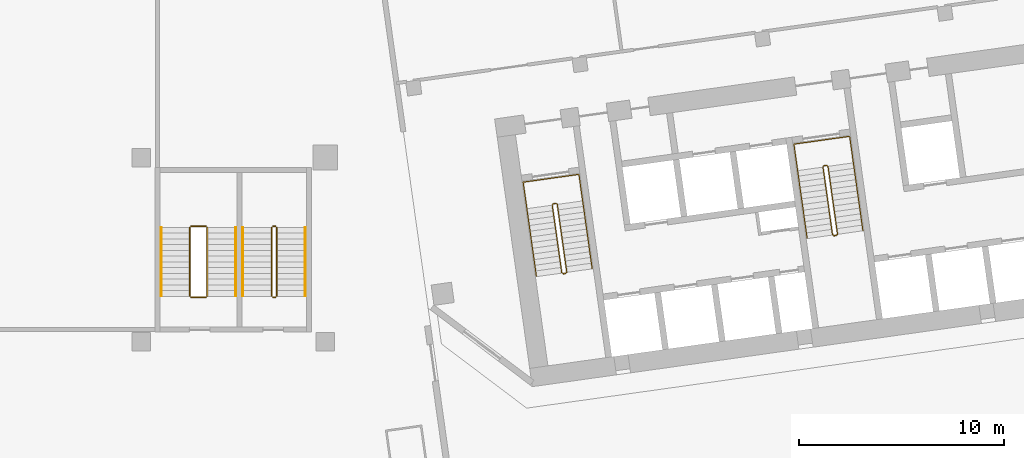
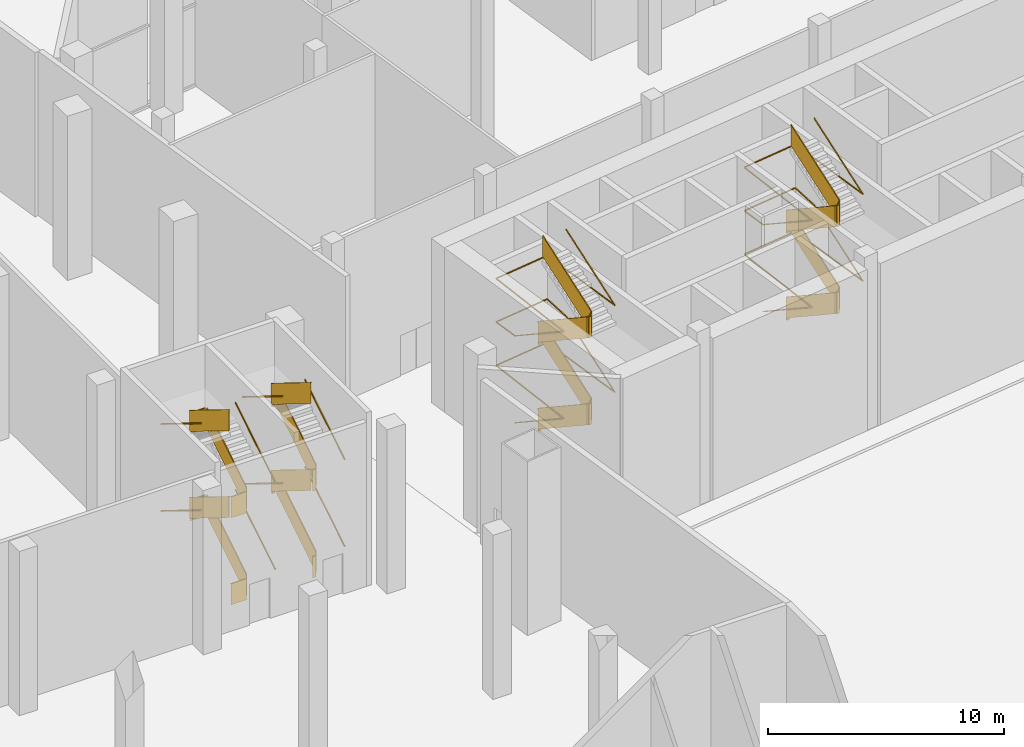
# One storey, part 33 of 34: 28 railings.
"""IFC4 building model written with IfcOpenShell, lengths in metres."""

from ifc_helpers import new_model, si_unit, direction, frame, origin, origin_2d, place, context, subcontext, project, spatial, rectangle, extrude, material, type_object, element, save


model = new_model("IFC4")

# Units and contexts
model_context = context("Model", 3, precision=1e-05, world=origin(), true_north=direction((0.0, 1.0)))
body_context = subcontext(model_context, "Body", "Model", "MODEL_VIEW")
ifc_project = project(units=[si_unit("LENGTHUNIT", "METRE"), si_unit("AREAUNIT", "SQUARE_METRE"), si_unit("VOLUMEUNIT", "CUBIC_METRE"), si_unit("PLANEANGLEUNIT", "RADIAN"), si_unit("MASSUNIT", "GRAM", prefix="KILO")], contexts=[model_context])

# Site, building, storey
site_placement = place(None, origin())
site = spatial("IfcSite", under=ifc_project, at=site_placement, CompositionType="ELEMENT")
building_placement = place(site_placement, origin())
building = spatial("IfcBuilding", under=site, at=building_placement, Name="Mirante Cascada Hotel Towers", CompositionType="ELEMENT")
storey_placement = place(building_placement, origin())
storey = spatial("IfcBuildingStorey", under=building, at=storey_placement, Name="L00", CompositionType="ELEMENT", Elevation=0.0)

# Railings
ifc_material_1 = material(Name="Painted steel", Category="steel")
railing_type_1 = type_object("IfcRailingType", Name="Podium stair guard 1100 steel balustrade", PredefinedType="GUARDRAIL", material=ifc_material_1)
railing_1_placement = place(storey_placement, frame((24.625, -15.775, 0.1731)))
element("IfcRailing", 1, at=railing_1_placement, inside=storey, type_object=railing_type_1, Name="L00 PS2 stair guard 1", PredefinedType="GUARDRAIL", context=body_context, shape_type="SweptSolid", body=[
    extrude(rectangle(XDim=0.048, YDim=0.048, at=origin_2d()), frame((0.0, 0.0, 1.076), z_axis=(0.0, 1.0, 0.0), x_axis=(-1.0, 0.0, 0.0)), (0.0, 0.5257871, 0.8506162), 3.9501),
    extrude(rectangle(XDim=0.02, YDim=1.052, at=origin_2d()), frame((0.0, 0.0, 0.526), z_axis=(0.0, 1.0, 0.0), x_axis=(-1.0, 0.0, 0.0)), (0.0, 0.5257871, 0.8506162), 3.9501),
])
railing_2_placement = place(storey_placement, frame((24.575, -12.365, 2.25)))
element("IfcRailing", 2, at=railing_2_placement, inside=storey, type_object=railing_type_1, Name="L00 PS2 stair guard 2", PredefinedType="GUARDRAIL", context=body_context, shape_type="SweptSolid", body=[
    extrude(rectangle(XDim=0.048, YDim=0.048, at=origin_2d()), frame((0.0, 0.0, 1.076), z_axis=(-1.0, 0.0, 0.0), x_axis=(0.0, -1.0, 0.0)), (0.0, 0.0, 1.0), 0.15),
    extrude(rectangle(XDim=0.02, YDim=1.052, at=origin_2d()), frame((0.0, 0.0, 0.526), z_axis=(-1.0, 0.0, 0.0), x_axis=(0.0, -1.0, 0.0)), (0.0, 0.0, 1.0), 0.15),
])
railing_3_placement = place(storey_placement, frame((24.375, -12.415, 2.4231)))
element("IfcRailing", 3, at=railing_3_placement, inside=storey, type_object=railing_type_1, Name="L00 PS2 stair guard 3", PredefinedType="GUARDRAIL", context=body_context, shape_type="SweptSolid", body=[
    extrude(rectangle(XDim=0.048, YDim=0.048, at=origin_2d()), frame((0.0, 0.0, 1.076), z_axis=(0.0, -1.0, 0.0), x_axis=(1.0, 0.0, 0.0)), (0.0, 0.5257871, 0.8506162), 3.9501),
    extrude(rectangle(XDim=0.02, YDim=1.052, at=origin_2d()), frame((0.0, 0.0, 0.526), z_axis=(0.0, -1.0, 0.0), x_axis=(1.0, 0.0, 0.0)), (0.0, 0.5257871, 0.8506162), 3.9501),
])
railing_4_placement = place(storey_placement, frame((24.575, -15.825, 4.5)))
element("IfcRailing", 4, at=railing_4_placement, inside=storey, type_object=railing_type_1, Name="L00 PS2 stair guard 4", PredefinedType="GUARDRAIL", context=body_context, shape_type="SweptSolid", body=[
    extrude(rectangle(XDim=0.048, YDim=0.048, at=origin_2d()), frame((0.0, 0.0, 1.076), z_axis=(-1.0, 0.0, 0.0), x_axis=(0.0, -1.0, 0.0)), (0.0, 0.0, 1.0), 0.15),
    extrude(rectangle(XDim=0.02, YDim=1.052, at=origin_2d()), frame((0.0, 0.0, 0.526), z_axis=(-1.0, 0.0, 0.0), x_axis=(0.0, -1.0, 0.0)), (0.0, 0.0, 1.0), 0.15),
])
railing_5_placement = place(storey_placement, frame((24.625, -15.775, 4.6731)))
element("IfcRailing", 5, at=railing_5_placement, inside=storey, type_object=railing_type_1, Name="L00 PS2 stair guard 5", PredefinedType="GUARDRAIL", context=body_context, shape_type="SweptSolid", body=[
    extrude(rectangle(XDim=0.048, YDim=0.048, at=origin_2d()), frame((0.0, 0.0, 1.076), z_axis=(0.0, 1.0, 0.0), x_axis=(-1.0, 0.0, 0.0)), (0.0, 0.5257871, 0.8506162), 3.9501),
    extrude(rectangle(XDim=0.02, YDim=1.052, at=origin_2d()), frame((0.0, 0.0, 0.526), z_axis=(0.0, 1.0, 0.0), x_axis=(-1.0, 0.0, 0.0)), (0.0, 0.5257871, 0.8506162), 3.9501),
])
railing_6_placement = place(storey_placement, frame((24.575, -12.365, 6.75)))
element("IfcRailing", 6, at=railing_6_placement, inside=storey, type_object=railing_type_1, Name="L00 PS2 stair guard 6", PredefinedType="GUARDRAIL", context=body_context, shape_type="SweptSolid", body=[
    extrude(rectangle(XDim=0.048, YDim=0.048, at=origin_2d()), frame((0.0, 0.0, 1.076), z_axis=(-1.0, 0.0, 0.0), x_axis=(0.0, -1.0, 0.0)), (0.0, 0.0, 1.0), 0.15),
    extrude(rectangle(XDim=0.02, YDim=1.052, at=origin_2d()), frame((0.0, 0.0, 0.526), z_axis=(-1.0, 0.0, 0.0), x_axis=(0.0, -1.0, 0.0)), (0.0, 0.0, 1.0), 0.15),
])
railing_7_placement = place(storey_placement, frame((24.375, -12.415, 6.9231)))
element("IfcRailing", 7, at=railing_7_placement, inside=storey, type_object=railing_type_1, Name="L00 PS2 stair guard 7", PredefinedType="GUARDRAIL", context=body_context, shape_type="SweptSolid", body=[
    extrude(rectangle(XDim=0.048, YDim=0.048, at=origin_2d()), frame((0.0, 0.0, 1.076), z_axis=(0.0, -1.0, 0.0), x_axis=(1.0, 0.0, 0.0)), (0.0, 0.5257871, 0.8506162), 3.9501),
    extrude(rectangle(XDim=0.02, YDim=1.052, at=origin_2d()), frame((0.0, 0.0, 0.526), z_axis=(0.0, -1.0, 0.0), x_axis=(1.0, 0.0, 0.0)), (0.0, 0.5257871, 0.8506162), 3.9501),
])
railing_8_placement = place(storey_placement, frame((24.575, -15.825, 0.0)))
element("IfcRailing", 8, at=railing_8_placement, inside=storey, type_object=railing_type_1, Name="L00 PS2 stair guard 8", PredefinedType="GUARDRAIL", context=body_context, shape_type="SweptSolid", body=[
    extrude(rectangle(XDim=0.048, YDim=0.048, at=origin_2d()), frame((0.0, 0.0, 1.076), z_axis=(-1.0, 0.0, 0.0), x_axis=(0.0, -1.0, 0.0)), (0.0, 0.0, 1.0), 0.15),
    extrude(rectangle(XDim=0.02, YDim=1.052, at=origin_2d()), frame((0.0, 0.0, 0.526), z_axis=(-1.0, 0.0, 0.0), x_axis=(0.0, -1.0, 0.0)), (0.0, 0.0, 1.0), 0.15),
])
railing_9_placement = place(storey_placement, frame((21.225, -15.775, 0.1731)))
element("IfcRailing", 9, at=railing_9_placement, inside=storey, type_object=railing_type_1, Name="L00 PS4 stair guard 1", PredefinedType="GUARDRAIL", context=body_context, shape_type="SweptSolid", body=[
    extrude(rectangle(XDim=0.048, YDim=0.048, at=origin_2d()), frame((0.0, 0.0, 1.076), z_axis=(0.0, 1.0, 0.0), x_axis=(-1.0, 0.0, 0.0)), (0.0, 0.5257871, 0.8506162), 3.9501),
    extrude(rectangle(XDim=0.02, YDim=1.052, at=origin_2d()), frame((0.0, 0.0, 0.526), z_axis=(0.0, 1.0, 0.0), x_axis=(-1.0, 0.0, 0.0)), (0.0, 0.5257871, 0.8506162), 3.9501),
])
railing_10_placement = place(storey_placement, frame((21.175, -12.365, 2.25)))
element("IfcRailing", 10, at=railing_10_placement, inside=storey, type_object=railing_type_1, Name="L00 PS4 stair guard 2", PredefinedType="GUARDRAIL", context=body_context, shape_type="SweptSolid", body=[
    extrude(rectangle(XDim=0.048, YDim=0.048, at=origin_2d()), frame((0.0, 0.0, 1.076), z_axis=(-1.0, 0.0, 0.0), x_axis=(0.0, -1.0, 0.0)), (0.0, 0.0, 1.0), 0.75),
    extrude(rectangle(XDim=0.02, YDim=1.052, at=origin_2d()), frame((0.0, 0.0, 0.526), z_axis=(-1.0, 0.0, 0.0), x_axis=(0.0, -1.0, 0.0)), (0.0, 0.0, 1.0), 0.75),
])
railing_11_placement = place(storey_placement, frame((20.375, -12.415, 2.4231)))
element("IfcRailing", 11, at=railing_11_placement, inside=storey, type_object=railing_type_1, Name="L00 PS4 stair guard 3", PredefinedType="GUARDRAIL", context=body_context, shape_type="SweptSolid", body=[
    extrude(rectangle(XDim=0.048, YDim=0.048, at=origin_2d()), frame((0.0, 0.0, 1.076), z_axis=(0.0, -1.0, 0.0), x_axis=(1.0, 0.0, 0.0)), (0.0, 0.5257871, 0.8506162), 3.9501),
    extrude(rectangle(XDim=0.02, YDim=1.052, at=origin_2d()), frame((0.0, 0.0, 0.526), z_axis=(0.0, -1.0, 0.0), x_axis=(1.0, 0.0, 0.0)), (0.0, 0.5257871, 0.8506162), 3.9501),
])
railing_12_placement = place(storey_placement, frame((21.175, -15.825, 4.5)))
element("IfcRailing", 12, at=railing_12_placement, inside=storey, type_object=railing_type_1, Name="L00 PS4 stair guard 4", PredefinedType="GUARDRAIL", context=body_context, shape_type="SweptSolid", body=[
    extrude(rectangle(XDim=0.048, YDim=0.048, at=origin_2d()), frame((0.0, 0.0, 1.076), z_axis=(-1.0, 0.0, 0.0), x_axis=(0.0, -1.0, 0.0)), (0.0, 0.0, 1.0), 0.75),
    extrude(rectangle(XDim=0.02, YDim=1.052, at=origin_2d()), frame((0.0, 0.0, 0.526), z_axis=(-1.0, 0.0, 0.0), x_axis=(0.0, -1.0, 0.0)), (0.0, 0.0, 1.0), 0.75),
])
railing_13_placement = place(storey_placement, frame((21.225, -15.775, 4.6731)))
element("IfcRailing", 13, at=railing_13_placement, inside=storey, type_object=railing_type_1, Name="L00 PS4 stair guard 5", PredefinedType="GUARDRAIL", context=body_context, shape_type="SweptSolid", body=[
    extrude(rectangle(XDim=0.048, YDim=0.048, at=origin_2d()), frame((0.0, 0.0, 1.076), z_axis=(0.0, 1.0, 0.0), x_axis=(-1.0, 0.0, 0.0)), (0.0, 0.5257871, 0.8506162), 3.9501),
    extrude(rectangle(XDim=0.02, YDim=1.052, at=origin_2d()), frame((0.0, 0.0, 0.526), z_axis=(0.0, 1.0, 0.0), x_axis=(-1.0, 0.0, 0.0)), (0.0, 0.5257871, 0.8506162), 3.9501),
])
railing_14_placement = place(storey_placement, frame((21.175, -12.365, 6.75)))
element("IfcRailing", 14, at=railing_14_placement, inside=storey, type_object=railing_type_1, Name="L00 PS4 stair guard 6", PredefinedType="GUARDRAIL", context=body_context, shape_type="SweptSolid", body=[
    extrude(rectangle(XDim=0.048, YDim=0.048, at=origin_2d()), frame((0.0, 0.0, 1.076), z_axis=(-1.0, 0.0, 0.0), x_axis=(0.0, -1.0, 0.0)), (0.0, 0.0, 1.0), 0.75),
    extrude(rectangle(XDim=0.02, YDim=1.052, at=origin_2d()), frame((0.0, 0.0, 0.526), z_axis=(-1.0, 0.0, 0.0), x_axis=(0.0, -1.0, 0.0)), (0.0, 0.0, 1.0), 0.75),
])
railing_15_placement = place(storey_placement, frame((20.375, -12.415, 6.9231)))
element("IfcRailing", 15, at=railing_15_placement, inside=storey, type_object=railing_type_1, Name="L00 PS4 stair guard 7", PredefinedType="GUARDRAIL", context=body_context, shape_type="SweptSolid", body=[
    extrude(rectangle(XDim=0.048, YDim=0.048, at=origin_2d()), frame((0.0, 0.0, 1.076), z_axis=(0.0, -1.0, 0.0), x_axis=(1.0, 0.0, 0.0)), (0.0, 0.5257871, 0.8506162), 3.9501),
    extrude(rectangle(XDim=0.02, YDim=1.052, at=origin_2d()), frame((0.0, 0.0, 0.526), z_axis=(0.0, -1.0, 0.0), x_axis=(1.0, 0.0, 0.0)), (0.0, 0.5257871, 0.8506162), 3.9501),
])
railing_16_placement = place(storey_placement, frame((21.175, -15.825, 0.0)))
element("IfcRailing", 16, at=railing_16_placement, inside=storey, type_object=railing_type_1, Name="L00 PS4 stair guard 8", PredefinedType="GUARDRAIL", context=body_context, shape_type="SweptSolid", body=[
    extrude(rectangle(XDim=0.048, YDim=0.048, at=origin_2d()), frame((0.0, 0.0, 1.076), z_axis=(-1.0, 0.0, 0.0), x_axis=(0.0, -1.0, 0.0)), (0.0, 0.0, 1.0), 0.75),
    extrude(rectangle(XDim=0.02, YDim=1.052, at=origin_2d()), frame((0.0, 0.0, 0.526), z_axis=(-1.0, 0.0, 0.0), x_axis=(0.0, -1.0, 0.0)), (0.0, 0.0, 1.0), 0.75),
])
ifc_material_2 = material(Name="Painted steel", Category="steel")
railing_type_2 = type_object("IfcRailingType", Name="Podium stair handrail 900 steel tube", PredefinedType="HANDRAIL", material=ifc_material_2)
railing_17_placement = place(storey_placement, frame((26.025, -15.775, 0.1731)))
element("IfcRailing", 17, at=railing_17_placement, inside=storey, type_object=railing_type_2, Name="L00 PS2 stair handrail 1", PredefinedType="HANDRAIL", context=body_context, shape_type="SweptSolid", body=[
    extrude(rectangle(XDim=0.048, YDim=0.048, at=origin_2d()), frame((0.0, 0.0, 0.876), z_axis=(0.0, 1.0, 0.0), x_axis=(-1.0, 0.0, 0.0)), (0.0, 0.5257871, 0.8506162), 3.9501),
])
railing_18_placement = place(storey_placement, frame((22.975, -12.415, 2.4231)))
element("IfcRailing", 18, at=railing_18_placement, inside=storey, type_object=railing_type_2, Name="L00 PS2 stair handrail 2", PredefinedType="HANDRAIL", context=body_context, shape_type="SweptSolid", body=[
    extrude(rectangle(XDim=0.048, YDim=0.048, at=origin_2d()), frame((0.0, 0.0, 0.876), z_axis=(0.0, -1.0, 0.0), x_axis=(1.0, 0.0, 0.0)), (0.0, 0.5257871, 0.8506162), 3.9501),
])
railing_19_placement = place(storey_placement, frame((26.025, -15.775, 4.6731)))
element("IfcRailing", 19, at=railing_19_placement, inside=storey, type_object=railing_type_2, Name="L00 PS2 stair handrail 3", PredefinedType="HANDRAIL", context=body_context, shape_type="SweptSolid", body=[
    extrude(rectangle(XDim=0.048, YDim=0.048, at=origin_2d()), frame((0.0, 0.0, 0.876), z_axis=(0.0, 1.0, 0.0), x_axis=(-1.0, 0.0, 0.0)), (0.0, 0.5257871, 0.8506162), 3.9501),
])
railing_20_placement = place(storey_placement, frame((22.975, -12.415, 6.9231)))
element("IfcRailing", 20, at=railing_20_placement, inside=storey, type_object=railing_type_2, Name="L00 PS2 stair handrail 4", PredefinedType="HANDRAIL", context=body_context, shape_type="SweptSolid", body=[
    extrude(rectangle(XDim=0.048, YDim=0.048, at=origin_2d()), frame((0.0, 0.0, 0.876), z_axis=(0.0, -1.0, 0.0), x_axis=(1.0, 0.0, 0.0)), (0.0, 0.5257871, 0.8506162), 3.9501),
])
railing_21_placement = place(storey_placement, frame((22.625, -15.775, 0.1731)))
element("IfcRailing", 21, at=railing_21_placement, inside=storey, type_object=railing_type_2, Name="L00 PS4 stair handrail 1", PredefinedType="HANDRAIL", context=body_context, shape_type="SweptSolid", body=[
    extrude(rectangle(XDim=0.048, YDim=0.048, at=origin_2d()), frame((0.0, 0.0, 0.876), z_axis=(0.0, 1.0, 0.0), x_axis=(-1.0, 0.0, 0.0)), (0.0, 0.5257871, 0.8506162), 3.9501),
])
railing_22_placement = place(storey_placement, frame((18.975, -12.415, 2.4231)))
element("IfcRailing", 22, at=railing_22_placement, inside=storey, type_object=railing_type_2, Name="L00 PS4 stair handrail 2", PredefinedType="HANDRAIL", context=body_context, shape_type="SweptSolid", body=[
    extrude(rectangle(XDim=0.048, YDim=0.048, at=origin_2d()), frame((0.0, 0.0, 0.876), z_axis=(0.0, -1.0, 0.0), x_axis=(1.0, 0.0, 0.0)), (0.0, 0.5257871, 0.8506162), 3.9501),
])
railing_23_placement = place(storey_placement, frame((22.625, -15.775, 4.6731)))
element("IfcRailing", 23, at=railing_23_placement, inside=storey, type_object=railing_type_2, Name="L00 PS4 stair handrail 3", PredefinedType="HANDRAIL", context=body_context, shape_type="SweptSolid", body=[
    extrude(rectangle(XDim=0.048, YDim=0.048, at=origin_2d()), frame((0.0, 0.0, 0.876), z_axis=(0.0, 1.0, 0.0), x_axis=(-1.0, 0.0, 0.0)), (0.0, 0.5257871, 0.8506162), 3.9501),
])
railing_24_placement = place(storey_placement, frame((18.975, -12.415, 6.9231)))
element("IfcRailing", 24, at=railing_24_placement, inside=storey, type_object=railing_type_2, Name="L00 PS4 stair handrail 4", PredefinedType="HANDRAIL", context=body_context, shape_type="SweptSolid", body=[
    extrude(rectangle(XDim=0.048, YDim=0.048, at=origin_2d()), frame((0.0, 0.0, 0.876), z_axis=(0.0, -1.0, 0.0), x_axis=(1.0, 0.0, 0.0)), (0.0, 0.5257871, 0.8506162), 3.9501),
])
ifc_material_3 = material(Name="Painted steel", Category="steel")
railing_type_3 = type_object("IfcRailingType", Name="Stair guard 1100 steel balustrade", PredefinedType="GUARDRAIL", material=ifc_material_3)
railing_25_placement = place(storey_placement, frame((38.2663, -11.2395, 0.0)))
element("IfcRailing", 25, at=railing_25_placement, inside=storey, type_object=railing_type_3, Name="L00 ST2-A stair guard 1", PredefinedType="GUARDRAIL", context=body_context, shape_type="SweptSolid", body=[
    extrude(rectangle(XDim=0.048, YDim=0.048, at=origin_2d()), frame((0.0, 0.0, 1.076), z_axis=(-0.9903326, -0.1387133, 0.0), x_axis=(0.1387133, -0.9903326, 0.0)), (0.0, 0.0, 1.0), 0.1499),
    extrude(rectangle(XDim=0.02, YDim=1.052, at=origin_2d()), frame((0.0, 0.0, 0.526), z_axis=(-0.9903326, -0.1387133, 0.0), x_axis=(0.1387133, -0.9903326, 0.0)), (0.0, 0.0, 1.0), 0.1499),
    extrude(rectangle(XDim=0.048, YDim=0.048, at=origin_2d()), frame((-0.1485, -0.0208, 1.076), z_axis=(-0.6020331, -0.7984711, 0.0), x_axis=(0.7984711, -0.6020331, 0.0)), (0.0, 0.925647, 0.3783882), 0.187),
    extrude(rectangle(XDim=0.02, YDim=1.052, at=origin_2d()), frame((-0.1485, -0.0208, 0.526), z_axis=(-0.6020331, -0.7984711, 0.0), x_axis=(0.7984711, -0.6020331, 0.0)), (0.0, 0.925647, 0.3783882), 0.187),
    extrude(rectangle(XDim=0.048, YDim=0.048, at=origin_2d()), frame((-0.1911, -0.0773, 1.2491), z_axis=(0.139196, -0.9902648, 0.0), x_axis=(0.9902648, 0.139196, 0.0)), (0.0, 0.525786, 0.8506169), 3.9501),
    extrude(rectangle(XDim=0.02, YDim=1.052, at=origin_2d()), frame((-0.1911, -0.0773, 0.6991), z_axis=(0.139196, -0.9902648, 0.0), x_axis=(0.9902648, 0.139196, 0.0)), (0.0, 0.525786, 0.8506169), 3.9501),
    extrude(rectangle(XDim=0.048, YDim=0.048, at=origin_2d()), frame((0.2766, -3.4046, 3.326), z_axis=(0.9944441, -0.1052656, 0.0), x_axis=(0.1052656, 0.9944441, 0.0)), (0.0, 0.0, 1.0), 0.2061),
    extrude(rectangle(XDim=0.02, YDim=1.052, at=origin_2d()), frame((0.2766, -3.4046, 2.776), z_axis=(0.9944441, -0.1052656, 0.0), x_axis=(0.1052656, 0.9944441, 0.0)), (0.0, 0.0, 1.0), 0.2061),
    extrude(rectangle(XDim=0.048, YDim=0.048, at=origin_2d()), frame((0.4816, -3.4263, 3.326), z_axis=(-0.9902537, -0.1392753, 0.0), x_axis=(0.1392753, -0.9902537, 0.0)), (0.0, 0.0, 1.0), 0.1501),
    extrude(rectangle(XDim=0.02, YDim=1.052, at=origin_2d()), frame((0.4816, -3.4263, 2.776), z_axis=(-0.9902537, -0.1392753, 0.0), x_axis=(0.1392753, -0.9902537, 0.0)), (0.0, 0.0, 1.0), 0.1501),
    extrude(rectangle(XDim=0.048, YDim=0.048, at=origin_2d()), frame((0.333, -3.4472, 3.326), z_axis=(0.9268624, 0.3754011, 0.0), x_axis=(-0.3754011, 0.9268624, 0.0)), (0.0, 0.6429944, 0.7658709), 0.2692),
    extrude(rectangle(XDim=0.02, YDim=1.052, at=origin_2d()), frame((0.333, -3.4472, 2.776), z_axis=(0.9268624, 0.3754011, 0.0), x_axis=(-0.3754011, 0.9268624, 0.0)), (0.0, 0.6429944, 0.7658709), 0.2692),
    extrude(rectangle(XDim=0.048, YDim=0.048, at=origin_2d()), frame((0.5241, -3.3698, 3.4991), z_axis=(-0.1391668, 0.990269, 0.0), x_axis=(-0.990269, -0.1391668, 0.0)), (0.0, 0.5257875, 0.8506159), 3.9501),
    extrude(rectangle(XDim=0.02, YDim=1.052, at=origin_2d()), frame((0.5241, -3.3698, 2.9491), z_axis=(-0.1391668, 0.990269, 0.0), x_axis=(-0.990269, -0.1391668, 0.0)), (0.0, 0.5257875, 0.8506159), 3.9501),
    extrude(rectangle(XDim=0.048, YDim=0.048, at=origin_2d()), frame((0.0565, -0.0425, 5.576), z_axis=(-0.7991505, 0.6011309, 0.0), x_axis=(-0.6011309, -0.7991505, 0.0)), (0.0, 0.0, 1.0), 0.0707),
    extrude(rectangle(XDim=0.02, YDim=1.052, at=origin_2d()), frame((0.0565, -0.0425, 5.026), z_axis=(-0.7991505, 0.6011309, 0.0), x_axis=(-0.6011309, -0.7991505, 0.0)), (0.0, 0.0, 1.0), 0.0707),
    extrude(rectangle(XDim=0.048, YDim=0.048, at=origin_2d()), frame((0.0, 0.0, 5.576), z_axis=(-0.9903326, -0.1387133, 0.0), x_axis=(0.1387133, -0.9903326, 0.0)), (0.0, 0.0, 1.0), 0.1499),
    extrude(rectangle(XDim=0.02, YDim=1.052, at=origin_2d()), frame((0.0, 0.0, 5.026), z_axis=(-0.9903326, -0.1387133, 0.0), x_axis=(0.1387133, -0.9903326, 0.0)), (0.0, 0.0, 1.0), 0.1499),
    extrude(rectangle(XDim=0.048, YDim=0.048, at=origin_2d()), frame((-0.1485, -0.0208, 5.576), z_axis=(-0.6020331, -0.7984711, 0.0), x_axis=(0.7984711, -0.6020331, 0.0)), (0.0, 0.925647, 0.3783882), 0.187),
    extrude(rectangle(XDim=0.02, YDim=1.052, at=origin_2d()), frame((-0.1485, -0.0208, 5.026), z_axis=(-0.6020331, -0.7984711, 0.0), x_axis=(0.7984711, -0.6020331, 0.0)), (0.0, 0.925647, 0.3783882), 0.187),
    extrude(rectangle(XDim=0.048, YDim=0.048, at=origin_2d()), frame((-0.1911, -0.0773, 5.7491), z_axis=(0.139196, -0.9902648, 0.0), x_axis=(0.9902648, 0.139196, 0.0)), (0.0, 0.525786, 0.8506169), 3.9501),
    extrude(rectangle(XDim=0.02, YDim=1.052, at=origin_2d()), frame((-0.1911, -0.0773, 5.1991), z_axis=(0.139196, -0.9902648, 0.0), x_axis=(0.9902648, 0.139196, 0.0)), (0.0, 0.525786, 0.8506169), 3.9501),
    extrude(rectangle(XDim=0.048, YDim=0.048, at=origin_2d()), frame((0.2766, -3.4046, 7.826), z_axis=(0.9944441, -0.1052656, 0.0), x_axis=(0.1052656, 0.9944441, 0.0)), (0.0, 0.0, 1.0), 0.2061),
    extrude(rectangle(XDim=0.02, YDim=1.052, at=origin_2d()), frame((0.2766, -3.4046, 7.276), z_axis=(0.9944441, -0.1052656, 0.0), x_axis=(0.1052656, 0.9944441, 0.0)), (0.0, 0.0, 1.0), 0.2061),
    extrude(rectangle(XDim=0.048, YDim=0.048, at=origin_2d()), frame((0.4816, -3.4263, 7.826), z_axis=(-0.9902537, -0.1392753, 0.0), x_axis=(0.1392753, -0.9902537, 0.0)), (0.0, 0.0, 1.0), 0.1501),
    extrude(rectangle(XDim=0.02, YDim=1.052, at=origin_2d()), frame((0.4816, -3.4263, 7.276), z_axis=(-0.9902537, -0.1392753, 0.0), x_axis=(0.1392753, -0.9902537, 0.0)), (0.0, 0.0, 1.0), 0.1501),
    extrude(rectangle(XDim=0.048, YDim=0.048, at=origin_2d()), frame((0.333, -3.4472, 7.826), z_axis=(0.9268624, 0.3754011, 0.0), x_axis=(-0.3754011, 0.9268624, 0.0)), (0.0, 0.6429944, 0.7658709), 0.2692),
    extrude(rectangle(XDim=0.02, YDim=1.052, at=origin_2d()), frame((0.333, -3.4472, 7.276), z_axis=(0.9268624, 0.3754011, 0.0), x_axis=(-0.3754011, 0.9268624, 0.0)), (0.0, 0.6429944, 0.7658709), 0.2692),
    extrude(rectangle(XDim=0.048, YDim=0.048, at=origin_2d()), frame((0.5241, -3.3698, 7.9991), z_axis=(-0.1391668, 0.990269, 0.0), x_axis=(-0.990269, -0.1391668, 0.0)), (0.0, 0.5257875, 0.8506159), 3.9501),
    extrude(rectangle(XDim=0.02, YDim=1.052, at=origin_2d()), frame((0.5241, -3.3698, 7.4491), z_axis=(-0.1391668, 0.990269, 0.0), x_axis=(-0.990269, -0.1391668, 0.0)), (0.0, 0.5257875, 0.8506159), 3.9501),
])
railing_26_placement = place(storey_placement, frame((51.4864, -9.3815, 0.0)))
element("IfcRailing", 26, at=railing_26_placement, inside=storey, type_object=railing_type_3, Name="L00 ST2-B stair guard 1", PredefinedType="GUARDRAIL", context=body_context, shape_type="SweptSolid", body=[
    extrude(rectangle(XDim=0.048, YDim=0.048, at=origin_2d()), frame((0.0, 0.0, 1.076), z_axis=(-0.9902408, -0.1393672, 0.0), x_axis=(0.1393672, -0.9902408, 0.0)), (0.0, 0.0, 1.0), 0.15),
    extrude(rectangle(XDim=0.02, YDim=1.052, at=origin_2d()), frame((0.0, 0.0, 0.526), z_axis=(-0.9902408, -0.1393672, 0.0), x_axis=(0.1393672, -0.9902408, 0.0)), (0.0, 0.0, 1.0), 0.15),
    extrude(rectangle(XDim=0.048, YDim=0.048, at=origin_2d()), frame((-0.1485, -0.0209, 1.076), z_axis=(-0.6020331, -0.7984711, 0.0), x_axis=(0.7984711, -0.6020331, 0.0)), (0.0, 0.925647, 0.3783882), 0.187),
    extrude(rectangle(XDim=0.02, YDim=1.052, at=origin_2d()), frame((-0.1485, -0.0209, 0.526), z_axis=(-0.6020331, -0.7984711, 0.0), x_axis=(0.7984711, -0.6020331, 0.0)), (0.0, 0.925647, 0.3783882), 0.187),
    extrude(rectangle(XDim=0.048, YDim=0.048, at=origin_2d()), frame((-0.1911, -0.0774, 1.2491), z_axis=(0.1391668, -0.990269, 0.0), x_axis=(0.990269, 0.1391668, 0.0)), (0.0, 0.5257875, 0.8506159), 3.9501),
    extrude(rectangle(XDim=0.02, YDim=1.052, at=origin_2d()), frame((-0.1911, -0.0774, 0.6991), z_axis=(0.1391668, -0.990269, 0.0), x_axis=(0.990269, 0.1391668, 0.0)), (0.0, 0.5257875, 0.8506159), 3.9501),
    extrude(rectangle(XDim=0.048, YDim=0.048, at=origin_2d()), frame((0.2765, -3.4047, 3.326), z_axis=(0.9945001, -0.1047353, 0.0), x_axis=(0.1047353, 0.9945001, 0.0)), (0.0, 0.0, 1.0), 0.2062),
    extrude(rectangle(XDim=0.02, YDim=1.052, at=origin_2d()), frame((0.2765, -3.4047, 2.776), z_axis=(0.9945001, -0.1047353, 0.0), x_axis=(0.1047353, 0.9945001, 0.0)), (0.0, 0.0, 1.0), 0.2062),
    extrude(rectangle(XDim=0.048, YDim=0.048, at=origin_2d()), frame((0.4816, -3.4263, 3.326), z_axis=(-0.9902537, -0.1392753, 0.0), x_axis=(0.1392753, -0.9902537, 0.0)), (0.0, 0.0, 1.0), 0.1501),
    extrude(rectangle(XDim=0.02, YDim=1.052, at=origin_2d()), frame((0.4816, -3.4263, 2.776), z_axis=(-0.9902537, -0.1392753, 0.0), x_axis=(0.1392753, -0.9902537, 0.0)), (0.0, 0.0, 1.0), 0.1501),
    extrude(rectangle(XDim=0.048, YDim=0.048, at=origin_2d()), frame((0.333, -3.4472, 3.326), z_axis=(0.9270311, 0.3749843, 0.0), x_axis=(-0.3749843, 0.9270311, 0.0)), (0.0, 0.6430631, 0.7658132), 0.2692),
    extrude(rectangle(XDim=0.02, YDim=1.052, at=origin_2d()), frame((0.333, -3.4472, 2.776), z_axis=(0.9270311, 0.3749843, 0.0), x_axis=(-0.3749843, 0.9270311, 0.0)), (0.0, 0.6430631, 0.7658132), 0.2692),
    extrude(rectangle(XDim=0.048, YDim=0.048, at=origin_2d()), frame((0.5241, -3.3699, 3.4991), z_axis=(-0.1391668, 0.990269, 0.0), x_axis=(-0.990269, -0.1391668, 0.0)), (0.0, 0.5257875, 0.8506159), 3.9501),
    extrude(rectangle(XDim=0.02, YDim=1.052, at=origin_2d()), frame((0.5241, -3.3699, 2.9491), z_axis=(-0.1391668, 0.990269, 0.0), x_axis=(-0.990269, -0.1391668, 0.0)), (0.0, 0.5257875, 0.8506159), 3.9501),
    extrude(rectangle(XDim=0.048, YDim=0.048, at=origin_2d()), frame((0.0565, -0.0426, 5.576), z_axis=(-0.7984711, 0.6020331, 0.0), x_axis=(-0.6020331, -0.7984711, 0.0)), (0.0, 0.0, 1.0), 0.0708),
    extrude(rectangle(XDim=0.02, YDim=1.052, at=origin_2d()), frame((0.0565, -0.0426, 5.026), z_axis=(-0.7984711, 0.6020331, 0.0), x_axis=(-0.6020331, -0.7984711, 0.0)), (0.0, 0.0, 1.0), 0.0708),
    extrude(rectangle(XDim=0.048, YDim=0.048, at=origin_2d()), frame((0.0, 0.0, 5.576), z_axis=(-0.9902408, -0.1393672, 0.0), x_axis=(0.1393672, -0.9902408, 0.0)), (0.0, 0.0, 1.0), 0.15),
    extrude(rectangle(XDim=0.02, YDim=1.052, at=origin_2d()), frame((0.0, 0.0, 5.026), z_axis=(-0.9902408, -0.1393672, 0.0), x_axis=(0.1393672, -0.9902408, 0.0)), (0.0, 0.0, 1.0), 0.15),
    extrude(rectangle(XDim=0.048, YDim=0.048, at=origin_2d()), frame((-0.1485, -0.0209, 5.576), z_axis=(-0.6020331, -0.7984711, 0.0), x_axis=(0.7984711, -0.6020331, 0.0)), (0.0, 0.925647, 0.3783882), 0.187),
    extrude(rectangle(XDim=0.02, YDim=1.052, at=origin_2d()), frame((-0.1485, -0.0209, 5.026), z_axis=(-0.6020331, -0.7984711, 0.0), x_axis=(0.7984711, -0.6020331, 0.0)), (0.0, 0.925647, 0.3783882), 0.187),
    extrude(rectangle(XDim=0.048, YDim=0.048, at=origin_2d()), frame((-0.1911, -0.0774, 5.7491), z_axis=(0.1391668, -0.990269, 0.0), x_axis=(0.990269, 0.1391668, 0.0)), (0.0, 0.5257875, 0.8506159), 3.9501),
    extrude(rectangle(XDim=0.02, YDim=1.052, at=origin_2d()), frame((-0.1911, -0.0774, 5.1991), z_axis=(0.1391668, -0.990269, 0.0), x_axis=(0.990269, 0.1391668, 0.0)), (0.0, 0.5257875, 0.8506159), 3.9501),
    extrude(rectangle(XDim=0.048, YDim=0.048, at=origin_2d()), frame((0.2765, -3.4047, 7.826), z_axis=(0.9945001, -0.1047353, 0.0), x_axis=(0.1047353, 0.9945001, 0.0)), (0.0, 0.0, 1.0), 0.2062),
    extrude(rectangle(XDim=0.02, YDim=1.052, at=origin_2d()), frame((0.2765, -3.4047, 7.276), z_axis=(0.9945001, -0.1047353, 0.0), x_axis=(0.1047353, 0.9945001, 0.0)), (0.0, 0.0, 1.0), 0.2062),
    extrude(rectangle(XDim=0.048, YDim=0.048, at=origin_2d()), frame((0.4816, -3.4263, 7.826), z_axis=(-0.9902537, -0.1392753, 0.0), x_axis=(0.1392753, -0.9902537, 0.0)), (0.0, 0.0, 1.0), 0.1501),
    extrude(rectangle(XDim=0.02, YDim=1.052, at=origin_2d()), frame((0.4816, -3.4263, 7.276), z_axis=(-0.9902537, -0.1392753, 0.0), x_axis=(0.1392753, -0.9902537, 0.0)), (0.0, 0.0, 1.0), 0.1501),
    extrude(rectangle(XDim=0.048, YDim=0.048, at=origin_2d()), frame((0.333, -3.4472, 7.826), z_axis=(0.9270311, 0.3749843, 0.0), x_axis=(-0.3749843, 0.9270311, 0.0)), (0.0, 0.6430631, 0.7658132), 0.2692),
    extrude(rectangle(XDim=0.02, YDim=1.052, at=origin_2d()), frame((0.333, -3.4472, 7.276), z_axis=(0.9270311, 0.3749843, 0.0), x_axis=(-0.3749843, 0.9270311, 0.0)), (0.0, 0.6430631, 0.7658132), 0.2692),
    extrude(rectangle(XDim=0.048, YDim=0.048, at=origin_2d()), frame((0.5241, -3.3699, 7.9991), z_axis=(-0.1391668, 0.990269, 0.0), x_axis=(-0.990269, -0.1391668, 0.0)), (0.0, 0.5257875, 0.8506159), 3.9501),
    extrude(rectangle(XDim=0.02, YDim=1.052, at=origin_2d()), frame((0.5241, -3.3699, 7.4491), z_axis=(-0.1391668, 0.990269, 0.0), x_axis=(-0.990269, -0.1391668, 0.0)), (0.0, 0.5257875, 0.8506159), 3.9501),
])
ifc_material_4 = material(Name="Painted steel", Category="steel")
railing_type_4 = type_object("IfcRailingType", Name="Stair handrail 900 steel tube", PredefinedType="HANDRAIL", material=ifc_material_4)
railing_27_placement = place(storey_placement, frame((36.8374, -11.4908, 0.1731)))
element("IfcRailing", 27, at=railing_27_placement, inside=storey, type_object=railing_type_4, Name="L00 ST2-A stair handrail 1", PredefinedType="HANDRAIL", context=body_context, shape_type="SweptSolid", body=[
    extrude(rectangle(XDim=0.048, YDim=0.048, at=origin_2d()), frame((0.0, 0.0, 0.876), z_axis=(0.1391668, -0.990269, 0.0), x_axis=(0.990269, 0.1391668, 0.0)), (0.0, 0.5257875, 0.8506159), 3.9501),
    extrude(rectangle(XDim=0.048, YDim=0.048, at=origin_2d()), frame((0.4676, -3.3273, 2.9529), z_axis=(-0.1391618, 0.9902697, 0.0), x_axis=(-0.9902697, -0.1391618, 0.0)), (0.0, 0.03712, 0.9993108), 4.6633),
    extrude(rectangle(XDim=0.048, YDim=0.048, at=origin_2d()), frame((-0.1809, 1.2874, 3.126), z_axis=(0.9902691, 0.1391657, 0.0), x_axis=(-0.1391657, 0.9902691, 0.0)), (0.0, 0.0, 1.0), 2.75),
    extrude(rectangle(XDim=0.048, YDim=0.048, at=origin_2d()), frame((2.5423, 1.6701, 3.126), z_axis=(0.1391828, -0.9902667, 0.0), x_axis=(0.9902667, 0.1391828, 0.0)), (0.0, 0.0, 1.0), 4.6601),
    extrude(rectangle(XDim=0.048, YDim=0.048, at=origin_2d()), frame((3.1909, -2.9446, 3.126), z_axis=(-0.139196, 0.9902648, 0.0), x_axis=(-0.9902648, -0.139196, 0.0)), (0.0, 0.525786, 0.8506169), 3.9501),
    extrude(rectangle(XDim=0.048, YDim=0.048, at=origin_2d()), frame((2.7233, 0.3817, 5.2028), z_axis=(-0.1391488, 0.9902715, 0.0), x_axis=(-0.9902715, -0.1391488, 0.0)), (0.0, 0.1319842, 0.9912518), 1.3125),
    extrude(rectangle(XDim=0.048, YDim=0.048, at=origin_2d()), frame((2.5423, 1.6701, 5.376), z_axis=(-0.9902691, -0.1391657, 0.0), x_axis=(0.1391657, -0.9902691, 0.0)), (0.0, 0.0, 1.0), 2.75),
    extrude(rectangle(XDim=0.048, YDim=0.048, at=origin_2d()), frame((-0.1809, 1.2874, 5.376), z_axis=(0.1391488, -0.9902715, 0.0), x_axis=(0.9902715, 0.1391488, 0.0)), (0.0, 0.0, 1.0), 1.3),
    extrude(rectangle(XDim=0.048, YDim=0.048, at=origin_2d()), frame((-0.0001, 0.0008, 5.3755), z_axis=(0.1391668, -0.990269, 0.0), x_axis=(0.990269, 0.1391668, 0.0)), (0.0, 0.5257875, 0.8506159), 3.9511),
    extrude(rectangle(XDim=0.048, YDim=0.048, at=origin_2d()), frame((0.4676, -3.3273, 7.4529), z_axis=(-0.1391618, 0.9902697, 0.0), x_axis=(-0.9902697, -0.1391618, 0.0)), (0.0, 0.03712, 0.9993108), 4.6633),
    extrude(rectangle(XDim=0.048, YDim=0.048, at=origin_2d()), frame((-0.1809, 1.2874, 7.626), z_axis=(0.9902691, 0.1391657, 0.0), x_axis=(-0.1391657, 0.9902691, 0.0)), (0.0, 0.0, 1.0), 2.75),
    extrude(rectangle(XDim=0.048, YDim=0.048, at=origin_2d()), frame((2.5423, 1.6701, 7.626), z_axis=(0.1391828, -0.9902667, 0.0), x_axis=(0.9902667, 0.1391828, 0.0)), (0.0, 0.0, 1.0), 4.6601),
    extrude(rectangle(XDim=0.048, YDim=0.048, at=origin_2d()), frame((3.1909, -2.9446, 7.626), z_axis=(-0.139196, 0.9902648, 0.0), x_axis=(-0.9902648, -0.139196, 0.0)), (0.0, 0.525786, 0.8506169), 3.9501),
])
railing_28_placement = place(storey_placement, frame((50.0575, -9.6328, 0.1731)))
element("IfcRailing", 28, at=railing_28_placement, inside=storey, type_object=railing_type_4, Name="L00 ST2-B stair handrail 1", PredefinedType="HANDRAIL", context=body_context, shape_type="SweptSolid", body=[
    extrude(rectangle(XDim=0.048, YDim=0.048, at=origin_2d()), frame((0.0, 0.0, 0.876), z_axis=(0.1391668, -0.990269, 0.0), x_axis=(0.990269, 0.1391668, 0.0)), (0.0, 0.5257875, 0.8506159), 3.9501),
    extrude(rectangle(XDim=0.048, YDim=0.048, at=origin_2d()), frame((0.4676, -3.3273, 2.9529), z_axis=(-0.1391647, 0.9902692, 0.0), x_axis=(-0.9902692, -0.1391647, 0.0)), (0.0, 0.0371208, 0.9993108), 4.6632),
    extrude(rectangle(XDim=0.048, YDim=0.048, at=origin_2d()), frame((-0.1809, 1.2873, 3.126), z_axis=(0.9902641, 0.1392013, 0.0), x_axis=(-0.1392013, 0.9902641, 0.0)), (0.0, 0.0, 1.0), 2.75),
    extrude(rectangle(XDim=0.048, YDim=0.048, at=origin_2d()), frame((2.5423, 1.6701, 3.126), z_axis=(0.1391618, -0.9902697, 0.0), x_axis=(0.9902697, 0.1391618, 0.0)), (0.0, 0.0, 1.0), 4.66),
    extrude(rectangle(XDim=0.048, YDim=0.048, at=origin_2d()), frame((3.1908, -2.9446, 3.126), z_axis=(-0.1391668, 0.990269, 0.0), x_axis=(-0.990269, -0.1391668, 0.0)), (0.0, 0.5257875, 0.8506159), 3.9501),
    extrude(rectangle(XDim=0.048, YDim=0.048, at=origin_2d()), frame((2.7233, 0.3817, 5.2028), z_axis=(-0.1391488, 0.9902715, 0.0), x_axis=(-0.9902715, -0.1391488, 0.0)), (0.0, 0.1319842, 0.9912518), 1.3125),
    extrude(rectangle(XDim=0.048, YDim=0.048, at=origin_2d()), frame((2.5423, 1.6701, 5.376), z_axis=(-0.9902641, -0.1392013, 0.0), x_axis=(0.1392013, -0.9902641, 0.0)), (0.0, 0.0, 1.0), 2.75),
    extrude(rectangle(XDim=0.048, YDim=0.048, at=origin_2d()), frame((-0.1809, 1.2873, 5.376), z_axis=(0.1391594, -0.99027, 0.0), x_axis=(0.99027, 0.1391594, 0.0)), (0.0, 0.0, 1.0), 1.2999),
    extrude(rectangle(XDim=0.048, YDim=0.048, at=origin_2d()), frame((-0.0001, 0.0008, 5.3755), z_axis=(0.1391668, -0.990269, 0.0), x_axis=(0.990269, 0.1391668, 0.0)), (0.0, 0.5257875, 0.8506159), 3.9511),
    extrude(rectangle(XDim=0.048, YDim=0.048, at=origin_2d()), frame((0.4676, -3.3273, 7.4529), z_axis=(-0.1391647, 0.9902692, 0.0), x_axis=(-0.9902692, -0.1391647, 0.0)), (0.0, 0.0371208, 0.9993108), 4.6632),
    extrude(rectangle(XDim=0.048, YDim=0.048, at=origin_2d()), frame((-0.1809, 1.2873, 7.626), z_axis=(0.9902641, 0.1392013, 0.0), x_axis=(-0.1392013, 0.9902641, 0.0)), (0.0, 0.0, 1.0), 2.75),
    extrude(rectangle(XDim=0.048, YDim=0.048, at=origin_2d()), frame((2.5423, 1.6701, 7.626), z_axis=(0.1391618, -0.9902697, 0.0), x_axis=(0.9902697, 0.1391618, 0.0)), (0.0, 0.0, 1.0), 4.66),
    extrude(rectangle(XDim=0.048, YDim=0.048, at=origin_2d()), frame((3.1908, -2.9446, 7.626), z_axis=(-0.1391668, 0.990269, 0.0), x_axis=(-0.990269, -0.1391668, 0.0)), (0.0, 0.5257875, 0.8506159), 3.9501),
])

save(model, "model.ifc")
